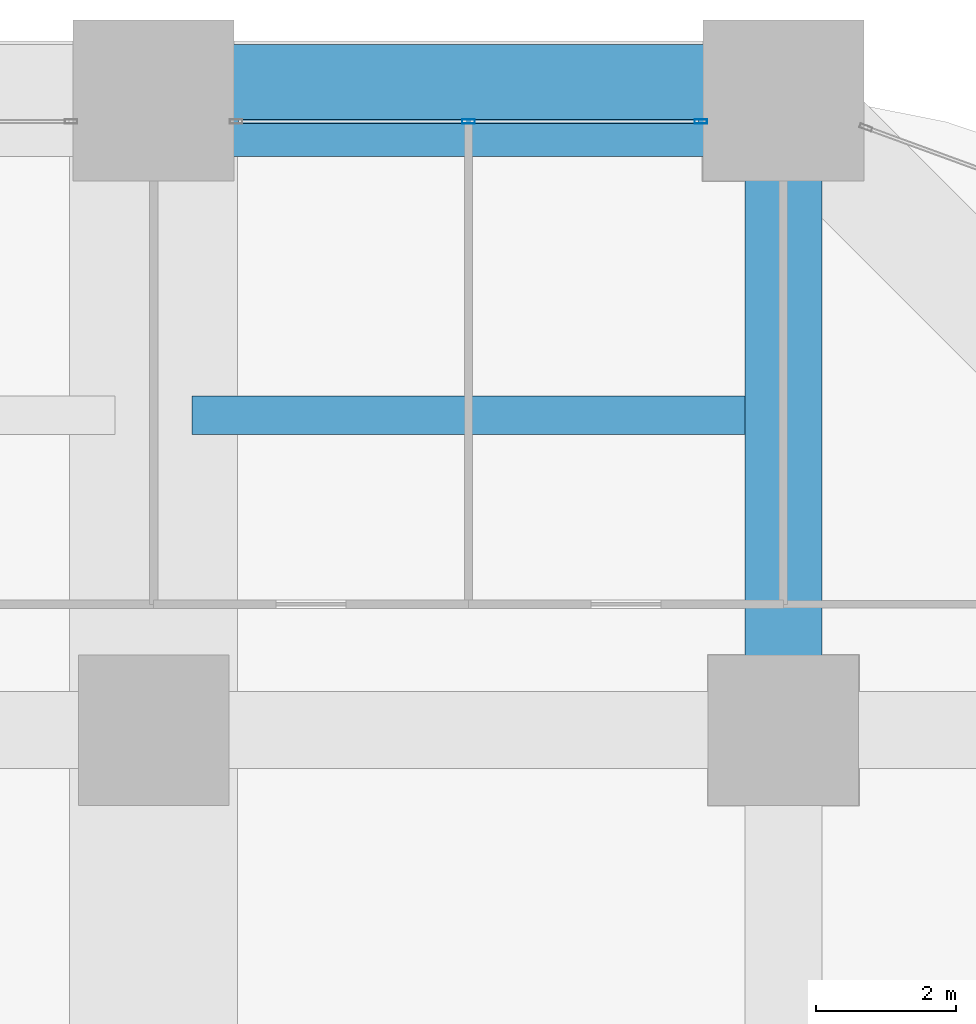
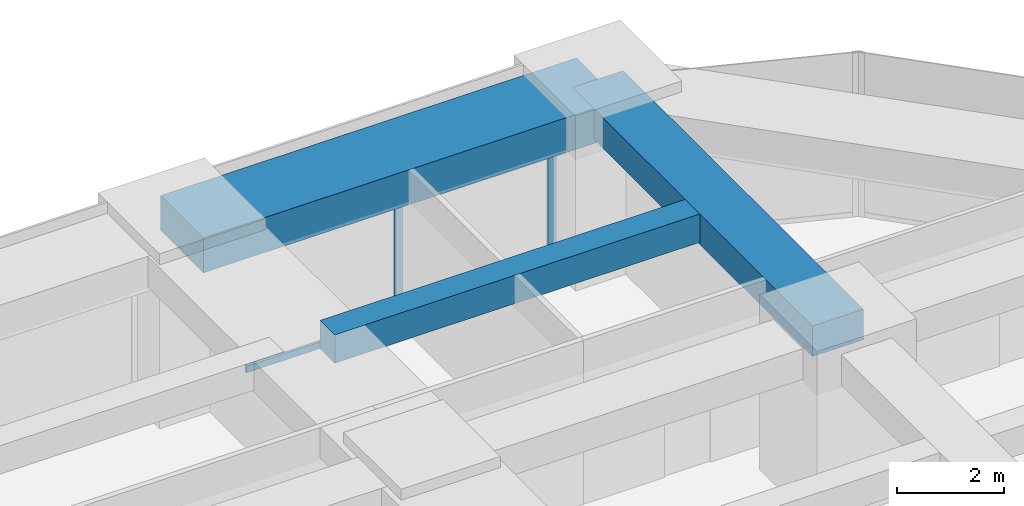
# One storey, part 36 of 43: 3 beams, 3 members, 1 element without a shape of its own.
"""IFC4 building model written with IfcOpenShell, lengths in metres."""

from ifc_helpers import new_model, si_unit, direction, frame, origin, origin_2d, place, context, subcontext, project, spatial, rectangle, hollow_rectangle, extrude, material, material_profile, profile_set, type_object, element, aggregate, save


model = new_model("IFC4")

# Units and contexts
model_context = context("Model", 3, precision=1e-05, world=origin(), true_north=direction((0.0, 1.0)))
body_context = subcontext(model_context, "Body", "Model", "MODEL_VIEW")
ifc_project = project(units=[si_unit("LENGTHUNIT", "METRE"), si_unit("AREAUNIT", "SQUARE_METRE"), si_unit("VOLUMEUNIT", "CUBIC_METRE"), si_unit("PLANEANGLEUNIT", "RADIAN"), si_unit("MASSUNIT", "GRAM", prefix="KILO")], contexts=[model_context])

# Site, building, storey
site_placement = place(None, origin())
site = spatial("IfcSite", under=ifc_project, at=site_placement, CompositionType="ELEMENT")
building_placement = place(site_placement, origin())
building = spatial("IfcBuilding", under=site, at=building_placement, Name="Zorevar Civic Tower", CompositionType="ELEMENT")
storey_placement = place(building_placement, frame((0.0, 0.0, 67.800048828125)))
storey = spatial("IfcBuildingStorey", under=building, at=storey_placement, Name="L16", CompositionType="ELEMENT", Elevation=67.800048828125)

# Beams
ifc_material_1 = material(Name="Concrete C50/60", Category="concrete")
ifc_material_profile_1 = material_profile(ifc_material_1, rectangle(XDim=1.10009765625, YDim=0.699951171875, at=origin_2d()), Name="RC 1100x700")
ifc_profile_set_1 = profile_set([ifc_material_profile_1], Name="Concrete C50/60")
beam_type_1 = type_object("IfcBeamType", Name="Beam RC 1100x700", PredefinedType="BEAM", material=ifc_profile_set_1)
beam_1_placement = place(storey_placement, frame((54.0, 45.0, 3.39990234375), z_axis=(0.0, 1.0, 0.0), x_axis=(-1.0, 0.0, 0.0)))
element("IfcBeam", 1, at=beam_1_placement, inside=storey, type_object=beam_type_1, Name="Girder L17", PredefinedType="BEAM", context=body_context, shape_type="SweptSolid", body=[
    extrude(rectangle(XDim=1.10009765625, YDim=0.699951171875, at=origin_2d()), origin(), (0.0, 0.0, 1.0), 9.0),
])
ifc_material_2 = material(Name="Concrete C50/60", Category="concrete")
ifc_material_profile_2 = material_profile(ifc_material_2, rectangle(XDim=0.550048828125, YDim=0.64990234375, at=origin_2d()), Name="RC 550x650")
ifc_profile_set_2 = profile_set([ifc_material_profile_2], Name="Concrete C50/60")
beam_type_2 = type_object("IfcBeamType", Name="Beam RC 550x650", PredefinedType="BEAM", material=ifc_profile_set_2)
beam_2_placement = place(storey_placement, frame((45.550048828125, 49.5, 3.425048828125), z_axis=(1.0, 0.0, 0.0), x_axis=(0.0, 1.0, 0.0)))
element("IfcBeam", 2, at=beam_2_placement, inside=storey, type_object=beam_type_2, Name="Secondary beam L17", PredefinedType="BEAM", context=body_context, shape_type="SweptSolid", body=[
    extrude(rectangle(XDim=0.550048828125, YDim=0.64990234375, at=origin_2d()), origin(), (0.0, 0.0, 1.0), 7.89990234375),
])

# Curtain wall, members
ifc_material_3 = material(Name="Dark grey solar-control glass in black aluminium frame", Category="aluminium")
curtain_wall_type = type_object("IfcCurtainWallType", Name="Curtain wall CW2 low zone", PredefinedType="NOTDEFINED", material=ifc_material_3)
curtain_wall_placement = place(storey_placement, origin())
curtain_wall = element("IfcCurtainWall", 3, at=curtain_wall_placement, inside=storey, type_object=curtain_wall_type, Name="CW2 L16", PredefinedType="NOTDEFINED")
ifc_material_4 = material(Name="Aluminium, black anodised", Category="aluminium")
ifc_material_profile_3 = material_profile(ifc_material_4, hollow_rectangle(XDim=0.06005859375, YDim=0.179931640625, WallThickness=0.00390625, at=origin_2d()), Name="AL 180x60x4")
ifc_profile_set_3 = profile_set([ifc_material_profile_3], Name="Aluminium, black anodised")
member_type_1 = type_object("IfcMemberType", Name="CW2 mullion AL 180x60x4", PredefinedType="MULLION", material=ifc_profile_set_3)
member_1_placement = place(storey_placement, frame((49.5, 53.699951171875, 0.06005859375), z_axis=(0.0, 0.0, 1.0), x_axis=(0.0, 1.0, 0.0)))
member_1 = element("IfcMember", 4, at=member_1_placement, type_object=member_type_1, Name="CW2 mullion 2", PredefinedType="MULLION", context=body_context, shape_type="SweptSolid", body=[
    extrude(hollow_rectangle(XDim=0.06005859375, YDim=0.179931640625, WallThickness=0.00390625, at=origin_2d()), origin(), (0.0, 0.0, 1.0), 2.889892578125),
])
member_2_placement = place(storey_placement, frame((52.820068359375, 53.699951171875, 0.0), z_axis=(0.0, 0.0, 1.0), x_axis=(0.0, 1.0, 0.0)))
member_2 = element("IfcMember", 5, at=member_2_placement, type_object=member_type_1, Name="CW2 mullion 3", PredefinedType="MULLION", context=body_context, shape_type="SweptSolid", body=[
    extrude(hollow_rectangle(XDim=0.06005859375, YDim=0.179931640625, WallThickness=0.00390625, at=origin_2d()), origin(), (0.0, 0.0, 1.0), 2.949951171875),
])
ifc_material_5 = material(Name="Aluminium, black anodised", Category="aluminium")
ifc_material_profile_4 = material_profile(ifc_material_5, hollow_rectangle(XDim=0.06005859375, YDim=0.14990234375, WallThickness=0.00390625, at=origin_2d()), Name="AL 150x60x4")
ifc_profile_set_4 = profile_set([ifc_material_profile_4], Name="Aluminium, black anodised")
member_type_2 = type_object("IfcMemberType", Name="CW2 transom AL 150x60x4", PredefinedType="USERDEFINED", material=ifc_profile_set_4)
member_3_placement = place(storey_placement, frame((46.2099609375, 53.699951171875, 0.030029296875), z_axis=(1.0, 0.0, 0.0), x_axis=(0.0, 1.0, 0.0)))
member_3 = element("IfcMember", 6, at=member_3_placement, type_object=member_type_2, Name="CW2 sill transom", ObjectType="TRANSOM", PredefinedType="USERDEFINED", context=body_context, shape_type="SweptSolid", body=[
    extrude(hollow_rectangle(XDim=0.06005859375, YDim=0.14990234375, WallThickness=0.00390625, at=origin_2d()), origin(), (0.0, 0.0, 1.0), 6.580078125),
])
aggregate(curtain_wall, [member_1, member_2, member_3])

# Beam
ifc_material_6 = material(Name="Concrete C50/60", Category="concrete")
ifc_material_profile_5 = material_profile(ifc_material_6, rectangle(XDim=1.60009765625, YDim=0.800048828125, at=origin_2d()), Name="RC 1600x800")
ifc_profile_set_5 = profile_set([ifc_material_profile_5], Name="Concrete C50/60")
beam_type_3 = type_object("IfcBeamType", Name="Edge beam RC 1600x800", PredefinedType="SPANDREL", material=ifc_profile_set_5)
beam_3_placement = place(storey_placement, frame((45.0, 54.0, 3.349853515625), z_axis=(1.0, 0.0, 0.0), x_axis=(0.0, 1.0, 0.0)))
element("IfcBeam", 7, at=beam_3_placement, inside=storey, type_object=beam_type_3, Name="Edge beam L17", PredefinedType="SPANDREL", context=body_context, shape_type="SweptSolid", body=[
    extrude(rectangle(XDim=1.60009765625, YDim=0.800048828125, at=origin_2d()), origin(), (0.0, 0.0, 1.0), 9.0),
])

save(model, "model.ifc")
